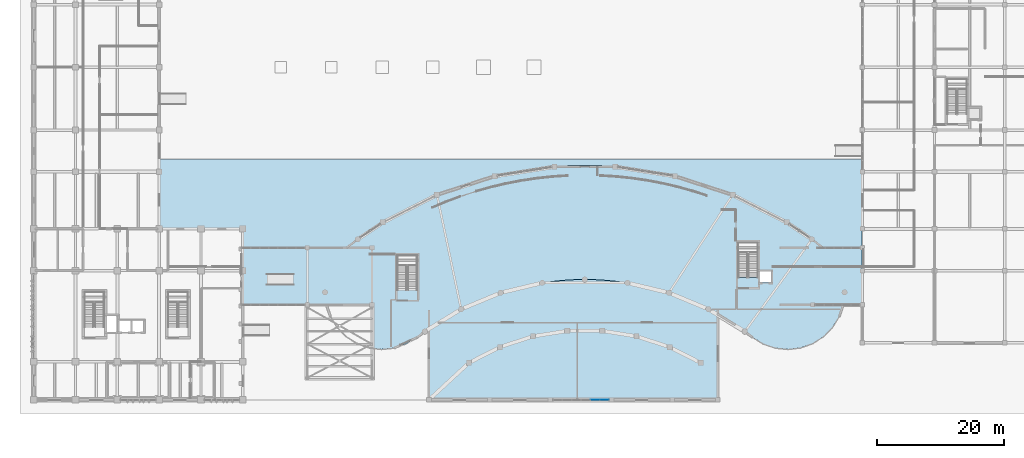
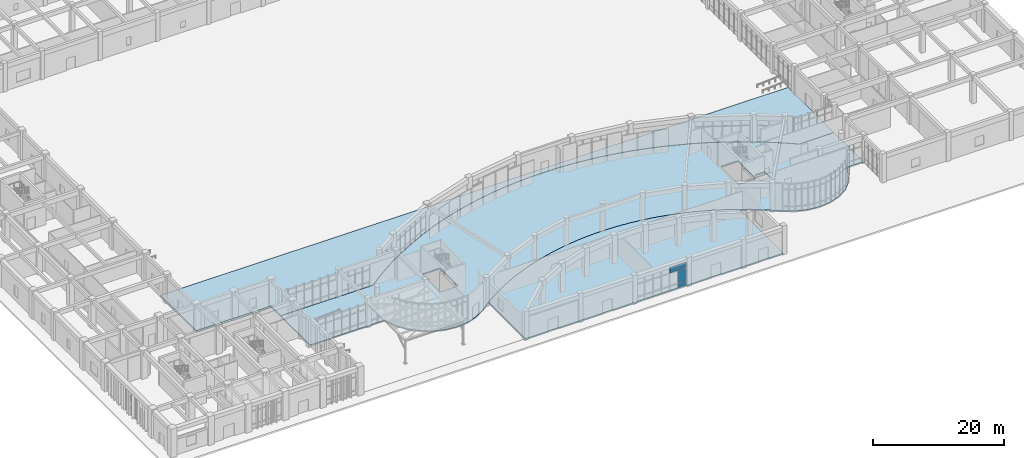
# One storey, part 39 of 70: 4 plates, 3 slabs, 1 element without a shape of its own.
"""IFC4 building model written with IfcOpenShell, lengths in metres."""

from ifc_helpers import new_model, si_unit, direction, frame, origin, origin_2d, place, context, subcontext, project, spatial, polyline, rectangle, outline, extrude, material, layer, layer_set, type_object, element, aggregate, save


model = new_model("IFC4")

# Units and contexts
model_context = context("Model", 3, precision=1e-05, world=origin(), true_north=direction((0.0, 1.0)))
body_context = subcontext(model_context, "Body", "Model", "MODEL_VIEW")
ifc_project = project(units=[si_unit("LENGTHUNIT", "METRE"), si_unit("AREAUNIT", "SQUARE_METRE"), si_unit("VOLUMEUNIT", "CUBIC_METRE"), si_unit("PLANEANGLEUNIT", "RADIAN"), si_unit("MASSUNIT", "GRAM", prefix="KILO")], contexts=[model_context])

# Site, building, storey
site_placement = place(None, origin())
site = spatial("IfcSite", under=ifc_project, at=site_placement, CompositionType="ELEMENT")
building_placement = place(site_placement, origin())
building = spatial("IfcBuilding", under=site, at=building_placement, Name="Miralva Faculty of Natural Sciences", CompositionType="ELEMENT")
storey_placement = place(building_placement, origin())
storey = spatial("IfcBuildingStorey", under=building, at=storey_placement, Name="L00", CompositionType="ELEMENT", Elevation=0.0)

# Curtain wall, plates
ifc_material_1 = material(Name="Laminated solar-control glass", Category="glass")
ifc_layer_1 = layer(ifc_material_1, 0.179931640625, Name="CW-LEC-L00")
ifc_layer_set_1 = layer_set([ifc_layer_1], Name="Laminated solar-control glass")
curtain_wall_type = type_object("IfcCurtainWallType", Name="CW-LEC-L00", PredefinedType="USERDEFINED", material=ifc_layer_set_1)
curtain_wall_placement = place(storey_placement, origin())
curtain_wall = element("IfcCurtainWall", 1, at=curtain_wall_placement, inside=storey, type_object=curtain_wall_type, Name="Curtain wall CW-07 L00-205", ObjectType="UNITISED CURTAIN WALL", PredefinedType="USERDEFINED")
ifc_layer_2 = layer(ifc_material_1, 0.031982421875, Name="PNL-P02")
ifc_layer_set_2 = layer_set([ifc_layer_2], Name="Laminated solar-control glass")
plate_type = type_object("IfcPlateType", Name="PNL-P02", PredefinedType="CURTAIN_PANEL", material=ifc_layer_set_2)
plate_1_placement = place(storey_placement, frame((91.617431640625, 3.0, 3.347412109375), z_axis=(0.0, 0.0, 1.0), x_axis=(1.0, 0.0, 0.0)))
plate_1 = element("IfcPlate", 2, at=plate_1_placement, type_object=plate_type, Name="CW-07 panel 5.3", PredefinedType="CURTAIN_PANEL", context=body_context, shape_type="SweptSolid", body=[
    extrude(rectangle(XDim=1.413330078125, YDim=0.031982421875, at=origin_2d()), origin(), (0.0, 0.0, 1.0), 1.00244140625),
])
plate_2_placement = place(storey_placement, frame((93.07958984375, 3.0, 0.06494140625), z_axis=(0.0, 0.0, 1.0), x_axis=(1.0, 0.0, 0.0)))
plate_2 = element("IfcPlate", 3, at=plate_2_placement, type_object=plate_type, Name="CW-07 panel 6.1", PredefinedType="CURTAIN_PANEL", context=body_context, shape_type="SweptSolid", body=[
    extrude(rectangle(XDim=1.380859375, YDim=0.031982421875, at=origin_2d()), origin(), (0.0, 0.0, 1.0), 0.802490234375),
])
plate_3_placement = place(storey_placement, frame((93.07958984375, 3.0, 0.932373046875), z_axis=(0.0, 0.0, 1.0), x_axis=(1.0, 0.0, 0.0)))
plate_3 = element("IfcPlate", 4, at=plate_3_placement, type_object=plate_type, Name="CW-07 panel 6.2", PredefinedType="CURTAIN_PANEL", context=body_context, shape_type="SweptSolid", body=[
    extrude(rectangle(XDim=1.380859375, YDim=0.031982421875, at=origin_2d()), origin(), (0.0, 0.0, 1.0), 2.35009765625),
])
plate_4_placement = place(storey_placement, frame((93.07958984375, 3.0, 3.347412109375), z_axis=(0.0, 0.0, 1.0), x_axis=(1.0, 0.0, 0.0)))
plate_4 = element("IfcPlate", 5, at=plate_4_placement, type_object=plate_type, Name="CW-07 panel 6.3", PredefinedType="CURTAIN_PANEL", context=body_context, shape_type="SweptSolid", body=[
    extrude(rectangle(XDim=1.380859375, YDim=0.031982421875, at=origin_2d()), origin(), (0.0, 0.0, 1.0), 1.00244140625),
])
aggregate(curtain_wall, [plate_1, plate_2, plate_3, plate_4])

# Slabs
ifc_material_2 = material(Name="Concrete C40/50", Category="concrete")
ifc_layer_3 = layer(ifc_material_2, 0.280029296875, Name="SL-FL02")
ifc_layer_set_3 = layer_set([ifc_layer_3], Name="Concrete C40/50")
slab_type_1 = type_object("IfcSlabType", Name="SL-FL02", PredefinedType="FLOOR", material=ifc_layer_set_3)
slab_1_placement = place(storey_placement, frame((0.0, 0.0, -0.280029296875)))
element("IfcSlab", 6, at=slab_1_placement, inside=storey, type_object=slab_type_1, Name="V1 L00 floor slab", PredefinedType="FLOOR", context=body_context, shape_type="SweptSolid", body=[
    extrude(outline(polyline([(111.0, 3.0), (65.39990234375, 3.0), (65.39990234375, 14.2587890625), (66.248291015625, 14.844970703125), (67.66455078125, 15.743896484375), (69.114501953125, 16.587158203125), (70.596435546875, 17.373291015625), (72.10791015625, 18.100830078125), (73.646484375, 18.768798828125), (75.210205078125, 19.37646484375), (76.79638671875, 19.922607421875), (78.40234375, 20.406494140625), (80.0263671875, 20.827392578125), (81.665283203125, 21.1845703125), (83.31689453125, 21.4775390625), (84.978759765625, 21.705810546875), (86.648193359375, 21.869140625), (88.322998046875, 21.96728515625), (90.0, 22.0), (91.677001953125, 21.96728515625), (93.351806640625, 21.869140625), (95.021240234375, 21.705810546875), (96.68310546875, 21.4775390625), (98.334716796875, 21.1845703125), (99.9736328125, 20.827392578125), (101.59765625, 20.406494140625), (103.20361328125, 19.922607421875), (104.789794921875, 19.37646484375), (106.353515625, 18.768798828125), (107.89208984375, 18.100830078125), (109.403564453125, 17.373291015625), (110.885498046875, 16.587158203125), (111.0, 16.5205078125), (111.0, 3.0)])), origin(), (0.0, 0.0, 1.0), 0.280029296875),
])
ifc_layer_4 = layer(ifc_material_2, 0.239990234375, Name="SL-FL03")
ifc_layer_set_4 = layer_set([ifc_layer_4], Name="Concrete C40/50")
slab_type_2 = type_object("IfcSlabType", Name="SL-FL03", PredefinedType="FLOOR", material=ifc_layer_set_4)
slab_2_placement = place(storey_placement, frame((0.0, 0.0, -0.239990234375)))
element("IfcSlab", 7, at=slab_2_placement, inside=storey, type_object=slab_type_2, Name="V3 L00 floor slab", PredefinedType="FLOOR", context=body_context, shape_type="SweptSolid", body=[
    extrude(outline(polyline([(36.0, 27.0), (52.37451171875, 27.0), (52.444580078125, 27.068603515625), (54.34814453125, 28.496826171875), (56.3056640625, 29.849609375), (58.314697265625, 31.125244140625), (60.371826171875, 32.3212890625), (62.47412109375, 33.436279296875), (64.618408203125, 34.468505859375), (66.801025390625, 35.41650390625), (69.01904296875, 36.2783203125), (71.26904296875, 37.052978515625), (73.547607421875, 37.739501953125), (75.851318359375, 38.33642578125), (78.17626953125, 38.843017578125), (80.519287109375, 39.2587890625), (82.876953125, 39.582763671875), (85.2451171875, 39.814453125), (87.620849609375, 39.95361328125), (90.0, 40.0), (92.379150390625, 39.95361328125), (94.7548828125, 39.814453125), (97.123046875, 39.582763671875), (99.480712890625, 39.2587890625), (101.82373046875, 38.843017578125), (104.148681640625, 38.33642578125), (106.452392578125, 37.739501953125), (108.73095703125, 37.052978515625), (110.98095703125, 36.2783203125), (113.198974609375, 35.41650390625), (115.381591796875, 34.468505859375), (117.52587890625, 33.436279296875), (119.628173828125, 32.3212890625), (121.685302734375, 31.125244140625), (123.6943359375, 29.849609375), (125.65185546875, 28.496826171875), (127.555419921875, 27.068603515625), (127.62548828125, 27.0), (133.800048828125, 27.0), (133.800048828125, 18.0), (130.78759765625, 18.0), (130.808349609375, 18.0615234375), (130.16162109375, 16.152587890625), (129.1064453125, 14.435546875), (127.69580078125, 12.996337890625), (126.0, 11.9072265625), (124.1044921875, 11.22265625), (122.104248046875, 10.97705078125), (120.099365234375, 11.1826171875), (118.1904296875, 11.829345703125), (116.473388671875, 12.884521484375), (115.131591796875, 13.89111328125), (113.751708984375, 14.844970703125), (112.33544921875, 15.743896484375), (110.885498046875, 16.587158203125), (109.403564453125, 17.373291015625), (107.89208984375, 18.100830078125), (106.353515625, 18.768798828125), (104.789794921875, 19.37646484375), (103.20361328125, 19.922607421875), (101.59765625, 20.406494140625), (99.9736328125, 20.827392578125), (98.334716796875, 21.1845703125), (96.68310546875, 21.4775390625), (95.021240234375, 21.705810546875), (93.351806640625, 21.869140625), (91.677001953125, 21.96728515625), (90.0, 22.0), (88.322998046875, 21.96728515625), (86.648193359375, 21.869140625), (84.978759765625, 21.705810546875), (83.31689453125, 21.4775390625), (81.665283203125, 21.1845703125), (80.0263671875, 20.827392578125), (78.40234375, 20.406494140625), (76.79638671875, 19.922607421875), (75.210205078125, 19.37646484375), (73.646484375, 18.768798828125), (72.10791015625, 18.100830078125), (70.596435546875, 17.373291015625), (69.114501953125, 16.587158203125), (67.66455078125, 15.743896484375), (66.248291015625, 14.844970703125), (64.868408203125, 13.89111328125), (63.526611328125, 12.884521484375), (61.8095703125, 11.829345703125), (59.900634765625, 11.1826171875), (57.895751953125, 10.97705078125), (55.8955078125, 11.22265625), (54.0, 11.9072265625), (52.30419921875, 12.996337890625), (50.8935546875, 14.435546875), (49.83837890625, 16.152587890625), (49.21240234375, 18.0), (36.0, 18.0), (36.0, 27.0)]), holes=[polyline([(117.324951171875, 22.324951171875), (114.22509765625, 22.324951171875), (114.22509765625, 27.824951171875), (117.324951171875, 27.824951171875), (117.324951171875, 22.324951171875)]), polyline([(119.449951171875, 21.52490234375), (117.64990234375, 21.52490234375), (117.64990234375, 23.27490234375), (119.449951171875, 23.27490234375), (119.449951171875, 21.52490234375)]), polyline([(63.52490234375, 20.324951171875), (60.425048828125, 20.324951171875), (60.425048828125, 25.824951171875), (63.52490234375, 25.824951171875), (63.52490234375, 20.324951171875)])]), origin(), (0.0, 0.0, 1.0), 0.239990234375),
])
ifc_material_3 = material(Name="Precast concrete C40/50", Category="concrete")
ifc_layer_5 = layer(ifc_material_3, 0.300048828125, Name="SL-PV01")
ifc_layer_set_5 = layer_set([ifc_layer_5], Name="Precast concrete C40/50")
slab_type_3 = type_object("IfcSlabType", Name="SL-PV01", PredefinedType="FLOOR", material=ifc_layer_set_5)
slab_3_placement = place(storey_placement, frame((0.0, 0.0, -0.300048828125)))
element("IfcSlab", 8, at=slab_3_placement, inside=storey, type_object=slab_type_3, Name="Perimeter Entrance Stone Apron", PredefinedType="FLOOR", context=body_context, shape_type="SweptSolid", body=[
    extrude(outline(polyline([(127.576416015625, 27.090087890625), (125.669921875, 28.52099609375), (123.71142578125, 29.87451171875), (121.701416015625, 31.150390625), (119.643310546875, 32.347412109375), (117.5400390625, 33.462890625), (115.394775390625, 34.49560546875), (113.2109375, 35.44384765625), (110.99169921875, 36.306396484375), (108.74072265625, 37.081298828125), (106.461181640625, 37.76806640625), (104.15625, 38.365478515625), (101.830078125, 38.872314453125), (99.48583984375, 39.288330078125), (97.127197265625, 39.6123046875), (94.7578125, 39.84423828125), (92.381103515625, 39.9833984375), (90.00048828125, 40.030029296875), (87.6201171875, 39.983642578125), (85.243408203125, 39.84423828125), (82.8740234375, 39.612548828125), (80.515380859375, 39.28857421875), (78.171142578125, 38.87255859375), (75.8447265625, 38.36572265625), (73.5400390625, 37.768310546875), (71.260498046875, 37.081787109375), (69.00927734375, 36.306640625), (66.7900390625, 35.4443359375), (64.6064453125, 34.49609375), (62.461181640625, 33.46337890625), (60.35791015625, 32.347900390625), (58.299560546875, 31.151123046875), (56.28955078125, 29.875), (54.3310546875, 28.521484375), (52.4267578125, 27.0927734375), (52.3623046875, 27.030029296875), (36.030029296875, 27.030029296875), (36.030029296875, 30.0), (36.02490234375, 30.0166015625), (36.011474609375, 30.027587890625), (22.830078125, 30.030029296875), (22.830078125, 40.969970703125), (133.77001953125, 40.969970703125), (133.77001953125, 27.030029296875), (127.6376953125, 27.030029296875), (127.576416015625, 27.090087890625)])), origin(), (0.0, 0.0, 1.0), 0.300048828125),
])

save(model, "model.ifc")
